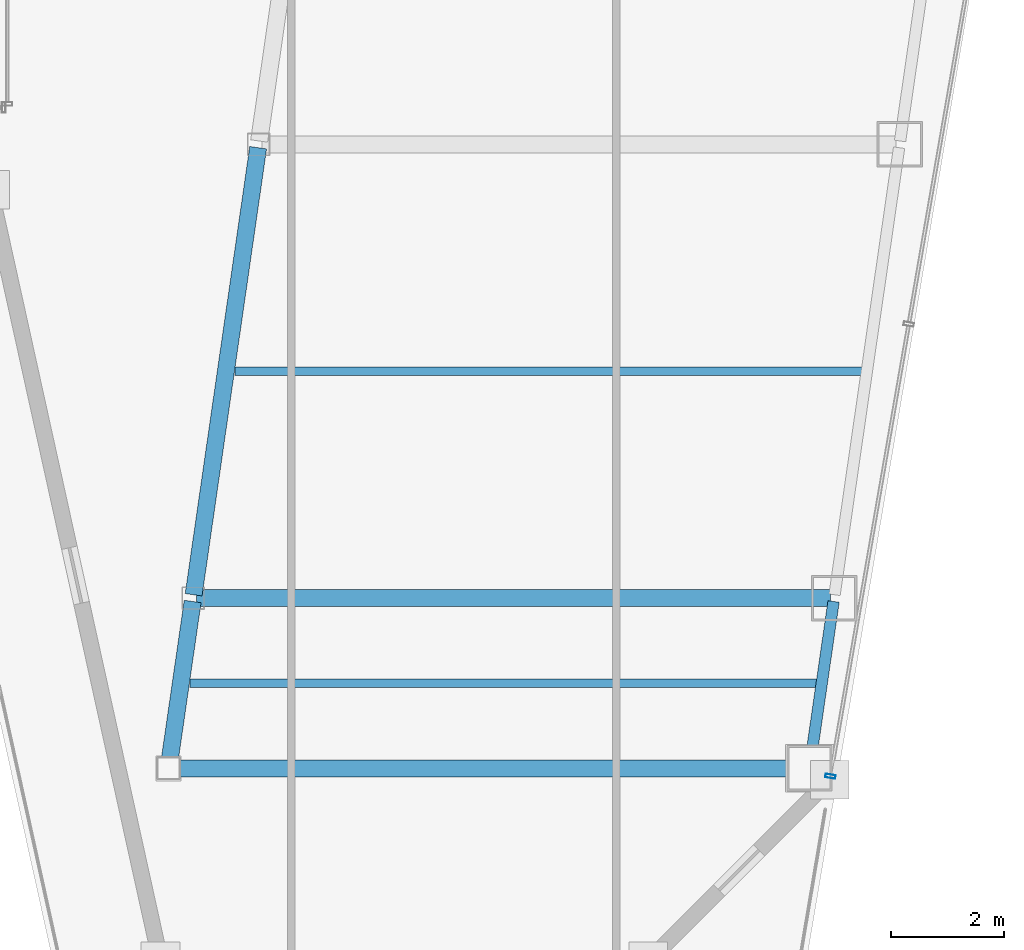
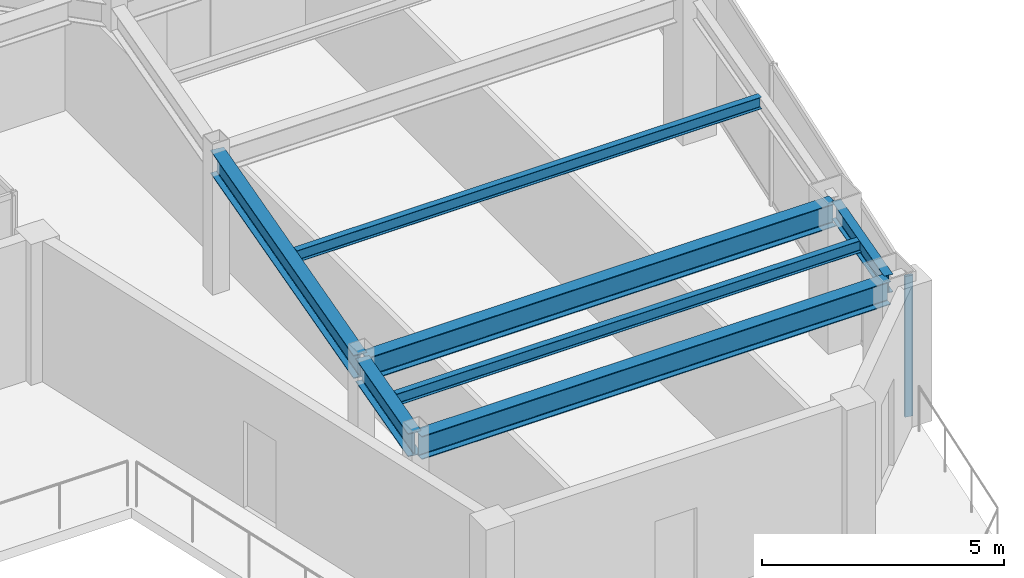
# One storey, part 11 of 31: 7 beams, 1 member, 1 element without a shape of its own.
"""IFC4 building model written with IfcOpenShell, lengths in metres."""

import ifcopenshell
import ifcopenshell.guid

model = None  # the IFC model being written
_history = None  # IfcOwnerHistory: only IFC2X3 demands one
_inside = {}  # id of a spatial element -> (the spatial element, [elements in it])
_under = {}  # id of a project, library or spatial element -> (it, [spatial elements below it])
_declared = {}  # id of a project -> (the project, [libraries it declares])
_typed = {}  # id of a type object -> (the type object, [elements of that type])
_made_of = {}  # id of a material, layer set ... -> (it, [elements and type objects made of it])


def new_model(schema):
    """Start an empty IFC model of exactly this schema.

    Asked for "IFC4X3", IfcOpenShell would pick the latest addendum, in which some entities
    have other attributes; the version numbers below select the first issue.
    IFC2X3 requires an IfcOwnerHistory on every rooted entity: one is made here for all.
    """
    global model, _history
    if schema == "IFC4X3":
        model = ifcopenshell.file(schema_version=(4, 3, 0, 0))
    else:
        model = ifcopenshell.file(schema=schema)
    _inside.clear()
    _under.clear()
    _declared.clear()
    _typed.clear()
    _made_of.clear()
    _history = None
    if model.schema == "IFC2X3":
        org = make("IfcOrganization", Name="unknown")
        user = make(
            "IfcPersonAndOrganization",
            ThePerson=make("IfcPerson", FamilyName="unknown"),
            TheOrganization=org,
        )
        app = make(
            "IfcApplication",
            ApplicationDeveloper=org,
            Version="unknown",
            ApplicationFullName="unknown",
            ApplicationIdentifier="unknown",
        )
        _history = make(
            "IfcOwnerHistory",
            OwningUser=user,
            OwningApplication=app,
            ChangeAction="ADDED",
            CreationDate=0,
        )
    return model


def make(cls, **values):
    """One entity of the class cls with the attributes given. An attribute that is None is left unset."""
    return model.create_entity(
        cls, **{name: value for name, value in values.items() if value is not None}
    )


def rooted(cls, **values):
    """An entity with a GlobalId (a new one), such as an element, a storey or a relation."""
    return make(cls, GlobalId=ifcopenshell.guid.new(), OwnerHistory=_history, **values)


def si_unit(unit_type, name, prefix=None):
    """IfcSIUnit, for example si_unit("LENGTHUNIT", "METRE", prefix="MILLI")."""
    return make("IfcSIUnit", UnitType=unit_type, Prefix=prefix, Name=name)


def assignment(units):
    """IfcUnitAssignment: the units of a project."""
    return None if units is None else make("IfcUnitAssignment", Units=units)


def point(xyz):
    """IfcCartesianPoint."""
    return None if xyz is None else make("IfcCartesianPoint", Coordinates=xyz)


def direction(xyz):
    """IfcDirection."""
    return None if xyz is None else make("IfcDirection", DirectionRatios=xyz)


def frame(location, z_axis=None, x_axis=None):
    """IfcAxis2Placement3D, a coordinate frame: its origin and axes. An axis left out is left unset."""
    return make(
        "IfcAxis2Placement3D",
        Location=point(location),
        Axis=direction(z_axis),
        RefDirection=direction(x_axis),
    )


def frame_2d(location, x_axis=None):
    """IfcAxis2Placement2D, a coordinate frame in the plane: its origin and x axis."""
    return make(
        "IfcAxis2Placement2D", Location=point(location), RefDirection=direction(x_axis)
    )


def origin():
    """The frame at (0, 0, 0) with its axes left unset."""
    return frame((0.0, 0.0, 0.0))


def origin_2d():
    """The frame at (0, 0) in the plane with its x axis left unset."""
    return frame_2d((0.0, 0.0))


def place(relative_to, where):
    """IfcLocalPlacement: puts the frame where relative to a parent placement (None: the world)."""
    return make(
        "IfcLocalPlacement", PlacementRelTo=relative_to, RelativePlacement=where
    )


def context(
    kind, dimensions, precision=None, world=None, true_north=None, identifier=None
):
    """IfcGeometricRepresentationContext, for example the 3D "Model" context."""
    return make(
        "IfcGeometricRepresentationContext",
        ContextIdentifier=identifier,
        ContextType=kind,
        CoordinateSpaceDimension=dimensions,
        Precision=precision,
        WorldCoordinateSystem=world,
        TrueNorth=true_north,
    )


def subcontext(parent, identifier, kind, view, scale=None):
    """IfcGeometricRepresentationSubContext, for example "Body" below "Model"."""
    return make(
        "IfcGeometricRepresentationSubContext",
        ContextIdentifier=identifier,
        ContextType=kind,
        ParentContext=parent,
        TargetScale=scale,
        TargetView=view,
    )


def project(units=None, contexts=None):
    """IfcProject with its units and contexts."""
    return rooted(
        "IfcProject",
        Name="project",
        RepresentationContexts=contexts,
        UnitsInContext=assignment(units),
    )


def spatial(cls, under=None, at=None, **own):
    """A site, building, storey or space (cls), placed at a placement, below another one or the project."""
    s = rooted(cls, ObjectPlacement=at, **own)
    if under is not None:
        _under.setdefault(under.id(), (under, []))[1].append(s)
    return s


def profile(cls, at=None, kind="AREA", **sizes):
    """A parametric profile (cls). Its sizes go by their IFC names, for example OverallWidth=200.0."""
    return make(cls, ProfileType=kind, Position=at, **sizes)


def hollow_rectangle(**sizes):
    """IfcRectangleHollowProfileDef."""
    return profile("IfcRectangleHollowProfileDef", **sizes)


def i_section(**sizes):
    """IfcIShapeProfileDef."""
    return profile("IfcIShapeProfileDef", **sizes)


def extrude(swept, where, along, depth):
    """IfcExtrudedAreaSolid: the profile swept, set in the frame where, extruded along a direction by depth."""
    return make(
        "IfcExtrudedAreaSolid",
        SweptArea=swept,
        Position=where,
        ExtrudedDirection=direction(along),
        Depth=depth,
    )


def shape(context_of_items, identifier, shape_type, items):
    """IfcShapeRepresentation: the items that make up one representation, for example the "Body"."""
    return make(
        "IfcShapeRepresentation",
        ContextOfItems=context_of_items,
        RepresentationIdentifier=identifier,
        RepresentationType=shape_type,
        Items=items,
    )


def material(Name=None, Category=None):
    """IfcMaterial."""
    return make("IfcMaterial", Name=Name, Category=Category)


def material_profile(
    of_material, cross_section, Name=None, Category=None, Priority=None
):
    """IfcMaterialProfile: a cross section and its material."""
    return make(
        "IfcMaterialProfile",
        Name=Name,
        Material=of_material,
        Profile=cross_section,
        Priority=Priority,
        Category=Category,
    )


def profile_set(profiles, Name=None, composite=None):
    """IfcMaterialProfileSet."""
    return make(
        "IfcMaterialProfileSet",
        Name=Name,
        MaterialProfiles=profiles,
        CompositeProfile=composite,
    )


def made_of(thing, what):
    """Note that an element or type object is made of a material, layer set ...; save() writes the relation."""
    if what is not None:
        _made_of.setdefault(what.id(), (what, []))[1].append(thing)
    return thing


def type_object(cls, material=None, **own):
    """A type object (cls), such as IfcWallType, which elements share."""
    return made_of(rooted(cls, **own), material)


def element(
    cls,
    number,
    at=None,
    inside=None,
    cuts=None,
    type_object=None,
    material=None,
    context=None,
    identifier="Body",
    shape_type=None,
    held_by="IfcProductDefinitionShape",
    body=None,
    shapes=None,
    **own,
):
    """One element of the class cls, such as IfcWall. Its Tag is "e" and its number.

    at: its placement. inside: the storey or other place that contains it. cuts: it is an
    opening in that element (IfcRelVoidsElement). A single representation is given by context,
    identifier, shape_type and body (its items); several are given by shapes. held_by: the class
    of the entity that holds the representations. save() writes the other relations.
    """
    e = rooted(cls, Tag="e%d" % number, ObjectPlacement=at, **own)
    if body is not None:
        shapes = [shape(context, identifier, shape_type, body)]
    if shapes is not None:
        e.Representation = make(held_by, Representations=shapes)
    if inside is not None:
        _inside.setdefault(inside.id(), (inside, []))[1].append(e)
    if cuts is not None:
        rooted(
            "IfcRelVoidsElement", RelatingBuildingElement=cuts, RelatedOpeningElement=e
        )
    if type_object is not None:
        _typed.setdefault(type_object.id(), (type_object, []))[1].append(e)
    return made_of(e, material)


def aggregate(whole, parts):
    """IfcRelAggregates: a whole, such as a stair, and the parts it consists of."""
    return rooted("IfcRelAggregates", RelatingObject=whole, RelatedObjects=parts)


def save(model, path):
    """Write the relations noted so far, then the file.

    IfcRelAggregates (storeys below a building ...), IfcRelContainedInSpatialStructure (elements
    in a storey), IfcRelDefinesByType, IfcRelAssociatesMaterial and IfcRelDeclares: one each for
    every whole, place, type object, material and project.
    """
    for whole, parts in _under.values():
        aggregate(whole, parts)
    for where, things in _inside.values():
        rooted(
            "IfcRelContainedInSpatialStructure",
            RelatedElements=things,
            RelatingStructure=where,
        )
    for kind, things in _typed.values():
        rooted("IfcRelDefinesByType", RelatedObjects=things, RelatingType=kind)
    for what, things in _made_of.values():
        rooted("IfcRelAssociatesMaterial", RelatedObjects=things, RelatingMaterial=what)
    for by, libraries in _declared.values():
        rooted("IfcRelDeclares", RelatingContext=by, RelatedDefinitions=libraries)
    model.write(path)


model = new_model("IFC4")

# Units and contexts
model_context = context("Model", 3, precision=1e-05, world=origin(), true_north=direction((0.0, 1.0)))
body_context = subcontext(model_context, "Body", "Model", "MODEL_VIEW")
ifc_project = project(units=[si_unit("LENGTHUNIT", "METRE"), si_unit("AREAUNIT", "SQUARE_METRE"), si_unit("VOLUMEUNIT", "CUBIC_METRE"), si_unit("PLANEANGLEUNIT", "RADIAN"), si_unit("MASSUNIT", "GRAM", prefix="KILO")], contexts=[model_context])

# Site, building, storey
site_placement = place(None, origin())
site = spatial("IfcSite", under=ifc_project, at=site_placement, CompositionType="ELEMENT")
building_placement = place(site_placement, origin())
building = spatial("IfcBuilding", under=site, at=building_placement, Name="Saevonmaru Cultural Tower", CompositionType="ELEMENT")
storey_placement = place(building_placement, frame((0.0, 0.0, 230.60009765625)))
storey = spatial("IfcBuildingStorey", under=building, at=storey_placement, Name="L53", CompositionType="ELEMENT", Elevation=230.60009765625)

# Beams
ifc_material_1 = material(Name="Steel SM355", Category="steel")
ifc_material_profile_1 = material_profile(ifc_material_1, i_section(OverallWidth=0.300048828125, OverallDepth=0.587890625, WebThickness=0.011962890625, FlangeThickness=0.02001953125, FilletRadius=0.02392578125, at=origin_2d()), Name="H-588x300x12x20")
ifc_profile_set_1 = profile_set([ifc_material_profile_1], Name="Steel SM355")
beam_type_1 = type_object("IfcBeamType", Name="BM-G-H588", PredefinedType="BEAM", material=ifc_profile_set_1)
beam_1_placement = place(storey_placement, frame((38.802490234375, 21.059326171875, 3.255859375), z_axis=(0.143229094195, 0.989689560709, 0.0), x_axis=(-0.989689560709, 0.143229094195, 0.0)))
element("IfcBeam", 1, at=beam_1_placement, inside=storey, type_object=beam_type_1, Name="L53 East Atrium Girder 1", PredefinedType="BEAM", context=body_context, shape_type="SweptSolid", body=[
    extrude(i_section(OverallWidth=0.300048828125, OverallDepth=0.587890625, WebThickness=0.011962890625, FlangeThickness=0.02001953125, FilletRadius=0.02392578125, at=origin_2d()), origin(), (0.0, 0.0, 1.0), 2.911376953125),
])
beam_2_placement = place(storey_placement, frame((39.236572265625, 24.059326171875, 3.255859375), z_axis=(0.142902032203, 0.989736838353, 0.0), x_axis=(-0.989736838353, 0.142902032203, 0.0)))
element("IfcBeam", 2, at=beam_2_placement, inside=storey, type_object=beam_type_1, Name="L53 East Atrium Girder 2", PredefinedType="BEAM", context=body_context, shape_type="SweptSolid", body=[
    extrude(i_section(OverallWidth=0.300048828125, OverallDepth=0.587890625, WebThickness=0.011962890625, FlangeThickness=0.02001953125, FilletRadius=0.02392578125, at=origin_2d()), origin(), (0.0, 0.0, 1.0), 7.963134765625),
])
for number, where, z_axis, x_axis, name in (
    (3, (38.85400390625, 21.0, 3.255859375), (1.0, 0.0, 0.0), (0.0, 1.0, 0.0), "L53 East Wing Transverse Girder 1"),
    (4, (39.2880859375, 24.0, 3.255859375), (1.0, 0.0, 0.0), (0.0, 1.0, 0.0), "L53 East Wing Transverse Girder 2"),
):
    element("IfcBeam", number, at=place(storey_placement, frame(where, z_axis=z_axis, x_axis=x_axis)), inside=storey, type_object=beam_type_1, Name=name, PredefinedType="BEAM", context=body_context, shape_type="SweptSolid", body=[
        extrude(i_section(OverallWidth=0.300048828125, OverallDepth=0.587890625, WebThickness=0.011962890625, FlangeThickness=0.02001953125, FilletRadius=0.02392578125, at=origin_2d()), origin(), (0.0, 0.0, 1.0), 11.179931640625),
    ])
ifc_material_profile_2 = material_profile(ifc_material_1, i_section(OverallWidth=0.14990234375, OverallDepth=0.300048828125, WebThickness=0.006591796875, FlangeThickness=0.009033203125, FilletRadius=0.012939453125, at=origin_2d()), Name="H-300x150x6.5x9")
ifc_profile_set_2 = profile_set([ifc_material_profile_2], Name="Steel SM355")
beam_type_2 = type_object("IfcBeamType", Name="BM-J-H300", PredefinedType="JOIST", material=ifc_profile_set_2)
for number, where, z_axis, x_axis, name in (
    (5, (39.1689453125, 22.5, 3.39990234375), (1.0, 0.0, 0.0), (0.0, 1.0, 0.0), "L53 East Wing Floor Joist 1"),
    (6, (39.96337890625, 28.0, 3.39990234375), (1.0, 0.0, 0.0), (0.0, 1.0, 0.0), "L53 East Wing Floor Joist 2"),
):
    element("IfcBeam", number, at=place(storey_placement, frame(where, z_axis=z_axis, x_axis=x_axis)), inside=storey, type_object=beam_type_2, Name=name, PredefinedType="JOIST", context=body_context, shape_type="SweptSolid", body=[
        extrude(i_section(OverallWidth=0.14990234375, OverallDepth=0.300048828125, WebThickness=0.006591796875, FlangeThickness=0.009033203125, FilletRadius=0.012939453125, at=origin_2d()), origin(), (0.0, 0.0, 1.0), 11.08203125),
    ])
ifc_material_profile_3 = material_profile(ifc_material_1, i_section(OverallWidth=0.199951171875, OverallDepth=0.449951171875, WebThickness=0.009033203125, FlangeThickness=0.013916015625, FilletRadius=0.01806640625, at=origin_2d()), Name="H-450x200x9x14")
ifc_profile_set_3 = profile_set([ifc_material_profile_3], Name="Steel SM355")
beam_type_3 = type_object("IfcBeamType", Name="BM-SP-H450", PredefinedType="SPANDREL", material=ifc_profile_set_3)
beam_3_placement = place(storey_placement, frame((50.1025390625, 21.059326171875, 3.324951171875), z_axis=(0.143146955239, 0.98970144448, 0.0), x_axis=(-0.98970144448, 0.143146955239, 0.0)))
element("IfcBeam", 7, at=beam_3_placement, inside=storey, type_object=beam_type_3, Name="L53 East Splayed Spandrel 1", PredefinedType="SPANDREL", context=body_context, shape_type="SweptSolid", body=[
    extrude(i_section(OverallWidth=0.199951171875, OverallDepth=0.449951171875, WebThickness=0.009033203125, FlangeThickness=0.013916015625, FilletRadius=0.01806640625, at=origin_2d()), origin(), (0.0, 0.0, 1.0), 2.911376953125),
])

# Curtain wall, member
ifc_material_2 = material(Name="Satin Bronze Anodised Aluminium", Category="aluminium")
curtain_wall_type = type_object("IfcCurtainWallType", Name="CW-SKY-GLZ", PredefinedType="NOTDEFINED", material=ifc_material_2)
curtain_wall_placement = place(storey_placement, origin())
curtain_wall = element("IfcCurtainWall", 8, at=curtain_wall_placement, inside=storey, type_object=curtain_wall_type, Name="L53 Unitised Curtain Wall E8", PredefinedType="NOTDEFINED")
ifc_material_profile_4 = material_profile(ifc_material_2, hollow_rectangle(XDim=0.06494140625, YDim=0.179931640625, WallThickness=0.00390625, at=origin_2d()), Name="ALU-MULL-180x65x4")
ifc_profile_set_4 = profile_set([ifc_material_profile_4], Name="Satin Bronze Anodised Aluminium")
member_type = type_object("IfcMemberType", Name="ML-CW-180x65", PredefinedType="MULLION", material=ifc_profile_set_4)
member_placement = place(storey_placement, frame((50.46337890625, 20.859130859375, 0.0), z_axis=(0.0, 0.0, 1.0), x_axis=(0.170790369887, 0.985307388359, 0.0)))
member = element("IfcMember", 9, at=member_placement, type_object=member_type, Name="CW-TW-L53-E8 mullion 1", PredefinedType="MULLION", context=body_context, shape_type="SweptSolid", body=[
    extrude(hollow_rectangle(XDim=0.06494140625, YDim=0.179931640625, WallThickness=0.00390625, at=origin_2d()), origin(), (0.0, 0.0, 1.0), 3.5498046875),
])
aggregate(curtain_wall, [member])

save(model, "model.ifc")
